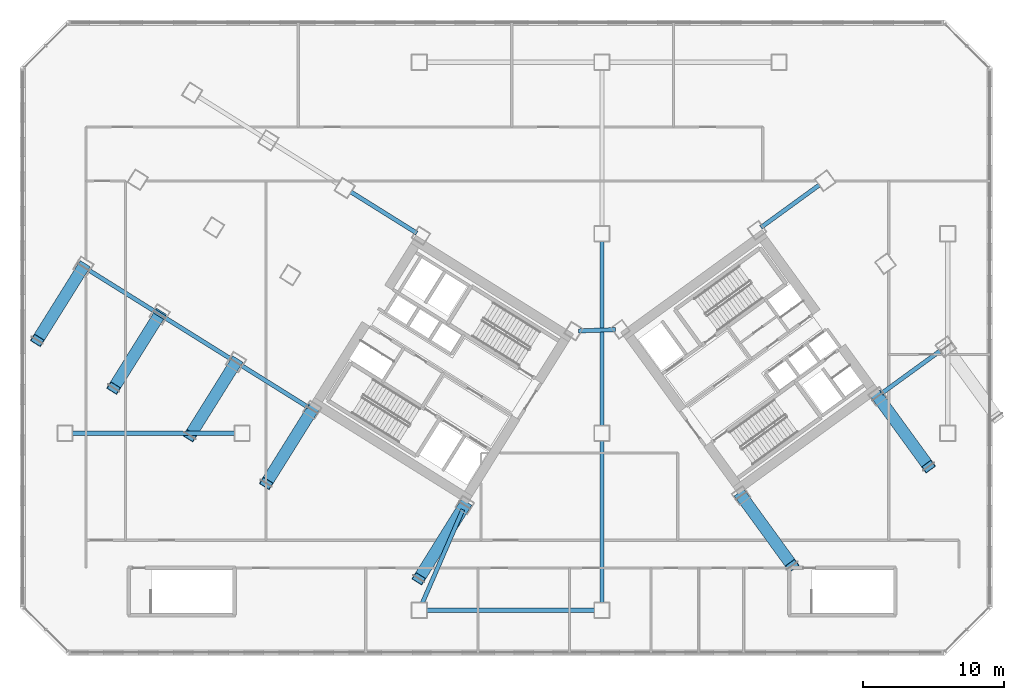
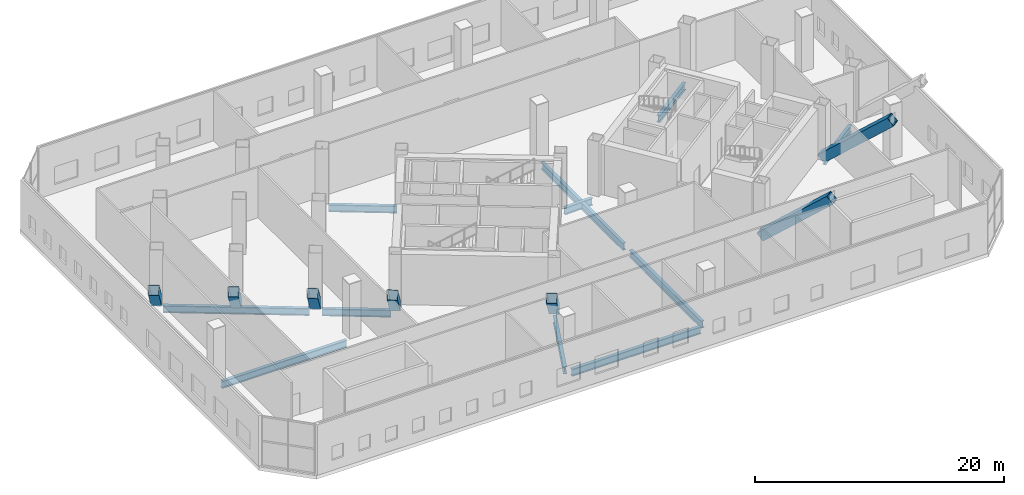
# One storey, part 3 of 23: 11 beams, 7 members.
"""IFC4 building model written with IfcOpenShell, lengths in metres."""

from ifc_helpers import new_model, si_unit, direction, frame, origin, origin_2d, place, context, subcontext, project, spatial, hollow_rectangle, i_section, extrude, source, transform, mapped, material, material_profile, profile_set, type_object, element, save


model = new_model("IFC4")

# Units and contexts
model_context = context("Model", 3, precision=1e-05, world=origin(), true_north=direction((0.0, 1.0)))
body_context = subcontext(model_context, "Body", "Model", "MODEL_VIEW")
ifc_project = project(units=[si_unit("LENGTHUNIT", "METRE"), si_unit("AREAUNIT", "SQUARE_METRE"), si_unit("VOLUMEUNIT", "CUBIC_METRE"), si_unit("PLANEANGLEUNIT", "RADIAN"), si_unit("MASSUNIT", "GRAM", prefix="KILO")], contexts=[model_context])

# Site, building, storey
site_placement = place(None, origin())
site = spatial("IfcSite", under=ifc_project, at=site_placement, CompositionType="ELEMENT")
building_placement = place(site_placement, origin())
building = spatial("IfcBuilding", under=site, at=building_placement, Name="Tlacorven Tower", CompositionType="ELEMENT")
storey_placement = place(building_placement, frame((0.0, 0.0, 18.60009765625)))
storey = spatial("IfcBuildingStorey", under=building, at=storey_placement, Name="L04", CompositionType="ELEMENT", Elevation=18.60009765625)

# Beams
ifc_material_1 = material(Name="Steel S355J2", Category="steel")
ifc_material_profile_1 = material_profile(ifc_material_1, i_section(OverallWidth=0.300048828125, OverallDepth=0.699951171875, WebThickness=0.01708984375, FlangeThickness=0.031982421875, at=origin_2d()), Name="HEB 700")
ifc_profile_set_1 = profile_set([ifc_material_profile_1], Name="Steel S355J2")
beam_type = type_object("IfcBeamType", Name="BM-POD-700", PredefinedType="BEAM", material=ifc_profile_set_1)
shared_shape_1 = source(origin(), body_context, "Body", "SweptSolid", [
    extrude(i_section(OverallWidth=0.300048828125, OverallDepth=0.699951171875, WebThickness=0.01708984375, FlangeThickness=0.031982421875, at=origin_2d()), origin(), (0.0, 0.0, 1.0), 11.97998046875),
])
beam_1_placement = place(storey_placement, frame((30.31005859375, 4.60009765625, -0.7001953125), z_axis=(1.0, 0.0, 0.0), x_axis=(0.0, 1.0, 0.0)))
element("IfcBeam", 1, at=beam_1_placement, inside=storey, type_object=beam_type, Name="L04 beam BM-L04-GX1-1", PredefinedType="BEAM", context=body_context, shape_type="MappedRepresentation", body=[
    mapped(shared_shape_1, transform((0.0, 0.0, 0.0), scale=1.0)),
])
shared_shape_2 = source(origin(), body_context, "Body", "SweptSolid", [
    extrude(i_section(OverallWidth=0.300048828125, OverallDepth=0.699951171875, WebThickness=0.01708984375, FlangeThickness=0.031982421875, at=origin_2d()), origin(), (0.0, 0.0, 1.0), 11.579833984375),
])
for number, where, z_axis, x_axis, name in (
    (2, (5.110107421875, 17.199951171875, -0.7001953125), (1.0, 0.0, 0.0), (0.0, 1.0, 0.0), "L04 beam BM-L04-GX2-1"),
    (3, (42.800048828125, 5.110107421875, -0.7001953125), (0.0, 1.0, 0.0), (-1.0, 0.0, 0.0), "L04 beam BM-L04-GY4-1"),
):
    element("IfcBeam", number, at=place(storey_placement, frame(where, z_axis=z_axis, x_axis=x_axis)), inside=storey, type_object=beam_type, Name=name, PredefinedType="BEAM", context=body_context, shape_type="MappedRepresentation", body=[
        mapped(shared_shape_2, transform((0.0, 0.0, 0.0), scale=1.0)),
    ])
shared_shape_3 = source(origin(), body_context, "Body", "SweptSolid", [
    extrude(i_section(OverallWidth=0.300048828125, OverallDepth=0.699951171875, WebThickness=0.01708984375, FlangeThickness=0.031982421875, at=origin_2d()), origin(), (0.0, 0.0, 1.0), 13.179931640625),
])
beam_2_placement = place(storey_placement, frame((42.800048828125, 17.7099609375, -0.7001953125), z_axis=(0.0, 1.0, 0.0), x_axis=(-1.0, 0.0, 0.0)))
element("IfcBeam", 4, at=beam_2_placement, inside=storey, type_object=beam_type, Name="L04 beam BM-L04-GY4-2", PredefinedType="BEAM", context=body_context, shape_type="MappedRepresentation", body=[
    mapped(shared_shape_3, transform((0.0, 0.0, 0.0), scale=1.0)),
])
shared_shape_4 = source(origin(), body_context, "Body", "SweptSolid", [
    extrude(i_section(OverallWidth=0.300048828125, OverallDepth=0.699951171875, WebThickness=0.01708984375, FlangeThickness=0.031982421875, at=origin_2d()), origin(), (0.0, 0.0, 1.0), 5.5400390625),
])
for number, where, z_axis, x_axis, name in (
    (5, (29.631103515625, 31.436767578125, -0.7001953125), (-0.848047815099, 0.529919714018, 0.0), (-0.529919714018, -0.848047815099, 0.0), "L04 beam BM-L04-WTG2-1"),
    (6, (21.894287109375, 19.055419921875, -0.7001953125), (-0.848067619083, 0.529888019739, 0.0), (-0.529888019739, -0.848067619083, 0.0), "L04 beam BM-L04-WTG2-2"),
):
    element("IfcBeam", number, at=place(storey_placement, frame(where, z_axis=z_axis, x_axis=x_axis)), inside=storey, type_object=beam_type, Name=name, PredefinedType="BEAM", context=body_context, shape_type="MappedRepresentation", body=[
        mapped(shared_shape_4, transform((0.0, 0.0, 0.0), scale=1.0)),
    ])
shared_shape_5 = source(origin(), body_context, "Body", "SweptSolid", [
    extrude(i_section(OverallWidth=0.300048828125, OverallDepth=0.699951171875, WebThickness=0.01708984375, FlangeThickness=0.031982421875, at=origin_2d()), origin(), (0.0, 0.0, 1.0), 11.780029296875),
])
beam_3_placement = place(storey_placement, frame((16.3310546875, 22.531494140625, -0.7001953125), z_axis=(-0.848048366356, 0.529918831823, 0.0), x_axis=(-0.529918831823, -0.848048366356, 0.0)))
element("IfcBeam", 7, at=beam_3_placement, inside=storey, type_object=beam_type, Name="L04 beam BM-L04-WTG3-2", PredefinedType="BEAM", context=body_context, shape_type="MappedRepresentation", body=[
    mapped(shared_shape_5, transform((0.0, 0.0, 0.0), scale=1.0)),
])
shared_shape_6 = source(origin(), body_context, "Body", "SweptSolid", [
    extrude(i_section(OverallWidth=0.300048828125, OverallDepth=0.699951171875, WebThickness=0.01708984375, FlangeThickness=0.031982421875, at=origin_2d()), origin(), (0.0, 0.0, 1.0), 5.14013671875),
])
for number, where, z_axis, x_axis, name in (
    (8, (62.69677734375, 20.032470703125, -0.7001953125), (0.809021486305, 0.587779069631, 0.0), (-0.587779069631, 0.809021486305, 0.0), "L04 beam BM-L04-ETG2-1"),
    (9, (54.114990234375, 31.84423828125, -0.7001953125), (0.809021486305, 0.587779069631, 0.0), (-0.587779069631, 0.809021486305, 0.0), "L04 beam BM-L04-ETG2-2"),
):
    element("IfcBeam", number, at=place(storey_placement, frame(where, z_axis=z_axis, x_axis=x_axis)), inside=storey, type_object=beam_type, Name=name, PredefinedType="BEAM", context=body_context, shape_type="MappedRepresentation", body=[
        mapped(shared_shape_6, transform((0.0, 0.0, 0.0), scale=1.0)),
    ])
shared_shape_7 = source(origin(), body_context, "Body", "SweptSolid", [
    extrude(i_section(OverallWidth=0.300048828125, OverallDepth=0.699951171875, WebThickness=0.01708984375, FlangeThickness=0.031982421875, at=origin_2d()), origin(), (0.0, 0.0, 1.0), 2.642822265625),
])
beam_4_placement = place(storey_placement, frame((41.1328125, 24.480712890625, -0.7001953125), z_axis=(0.999393314814, 0.034828182629, 0.0), x_axis=(-0.034828182629, 0.999393314814, 0.0)))
element("IfcBeam", 10, at=beam_4_placement, inside=storey, type_object=beam_type, Name="L04 beam BM-L04-PKNK1", PredefinedType="BEAM", context=body_context, shape_type="MappedRepresentation", body=[
    mapped(shared_shape_7, transform((0.0, 0.0, 0.0), scale=1.0)),
])
shared_shape_8 = source(origin(), body_context, "Body", "SweptSolid", [
    extrude(i_section(OverallWidth=0.300048828125, OverallDepth=0.699951171875, WebThickness=0.01708984375, FlangeThickness=0.031982421875, at=origin_2d()), origin(), (0.0, 0.0, 1.0), 7.300537109375),
])
beam_5_placement = place(storey_placement, frame((32.906982421875, 11.765869140625, -0.7001953125), z_axis=(-0.397790436874, -0.917476303962, 0.0), x_axis=(0.917476303962, -0.397790436874, 0.0)))
element("IfcBeam", 11, at=beam_5_placement, inside=storey, type_object=beam_type, Name="L04 beam BM-L04-PKNK2", PredefinedType="BEAM", context=body_context, shape_type="MappedRepresentation", body=[
    mapped(shared_shape_8, transform((0.0, 0.0, 0.0), scale=1.0)),
])

# Members
ifc_material_2 = material(Name="Steel S460M", Category="steel")
ifc_material_profile_2 = material_profile(ifc_material_2, hollow_rectangle(XDim=0.85009765625, YDim=0.85009765625, WallThickness=0.0400390625, at=origin_2d()), Name="BOX 850X850X40")
ifc_profile_set_2 = profile_set([ifc_material_profile_2], Name="Steel S460M")
member_type = type_object("IfcMemberType", Name="MB-RAK-INT", PredefinedType="STRUT", material=ifc_profile_set_2)
shared_shape_9 = source(origin(), body_context, "Body", "SweptSolid", [
    extrude(hollow_rectangle(XDim=0.85009765625, YDim=0.85009765625, WallThickness=0.0400390625, at=origin_2d()), origin(), (0.0, 0.0, 1.0), 8.161865234375),
])
for number, where, z_axis, x_axis, name in (
    (12, (33.0341796875, 12.067626953125, 0.01953125), (-0.399598707829, -0.639495529207, 0.656784851246), (0.848049555682, -0.529916928498, 0.0), "L04 Podium-to-Tower Raking Transfer Strut W1"),
    (13, (22.17919921875, 18.8505859375, 0.01953125), (-0.399598707829, -0.639495529207, 0.656784851246), (0.848049555682, -0.529916928498, 0.0), "L04 Podium-to-Tower Raking Transfer Strut W3"),
    (14, (16.751708984375, 22.2421875, 0.01953125), (-0.399623843327, -0.639487885215, 0.656777000593), (0.848031729208, -0.529945455925, 0.0), "L04 Podium-to-Tower Raking Transfer Strut W4"),
    (15, (11.32421875, 25.633544921875, 0.01953125), (-0.399623843327, -0.639487885215, 0.656777000593), (0.848031729208, -0.529945455925, 0.0), "L04 Podium-to-Tower Raking Transfer Strut W5"),
    (16, (5.896728515625, 29.025146484375, 0.01953125), (-0.399623843327, -0.639487885215, 0.656777000593), (0.848031729208, -0.529945455925, 0.0), "L04 Podium-to-Tower Raking Transfer Strut W6"),
    (17, (52.71875, 12.755126953125, 0.01953125), (0.443239867929, -0.610060541667, 0.656783491708), (0.809013879318, 0.587789539776, 0.0), "L04 Podium-to-Tower Raking Transfer Strut E1"),
    (18, (62.427001953125, 19.80859375, 0.01953125), (0.443239867929, -0.610060541667, 0.656783491708), (0.809013879318, 0.587789539776, 0.0), "L04 Podium-to-Tower Raking Transfer Strut E3"),
):
    element("IfcMember", number, at=place(storey_placement, frame(where, z_axis=z_axis, x_axis=x_axis)), inside=storey, type_object=member_type, Name=name, PredefinedType="STRUT", context=body_context, shape_type="MappedRepresentation", body=[
        mapped(shared_shape_9, transform((0.0, 0.0, 0.0), scale=1.0)),
    ])

save(model, "model.ifc")
